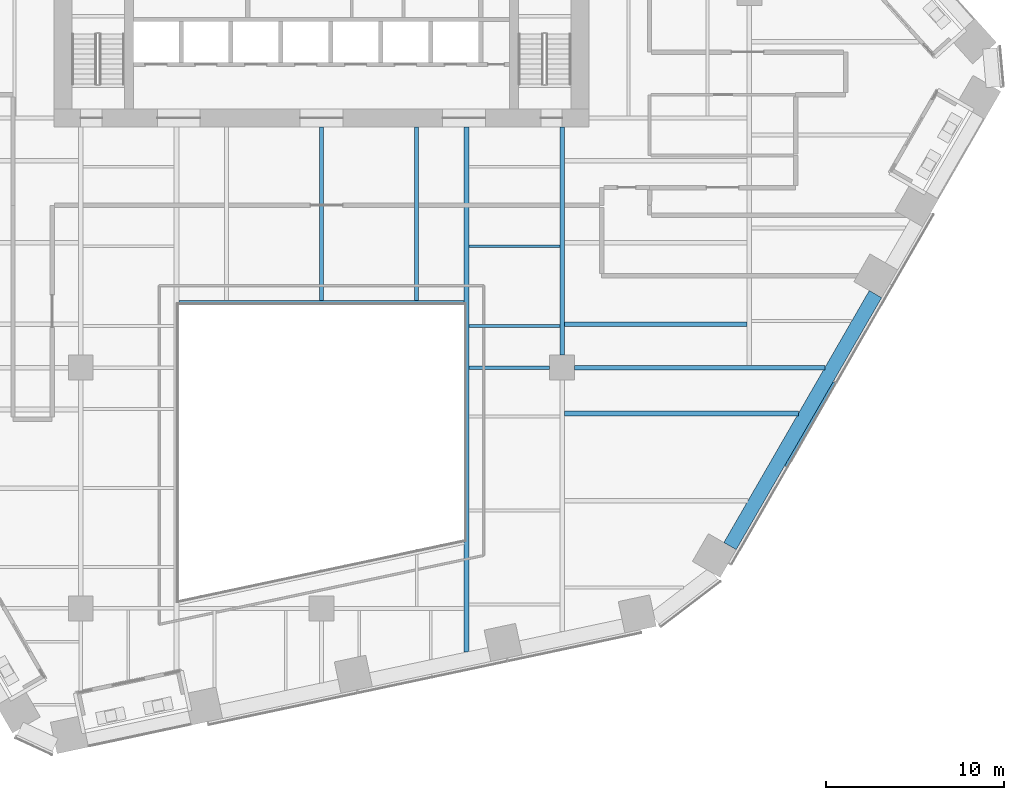
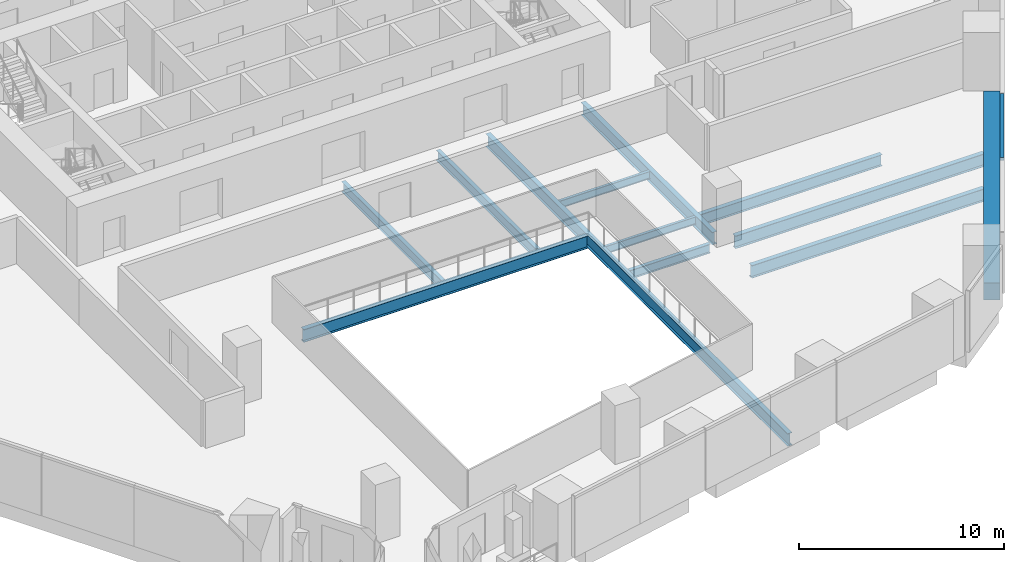
# One storey, part 6 of 28: 12 beams, 1 member, 1 element without a shape of its own.
"""IFC4 building model written with IfcOpenShell, lengths in metres."""

from ifc_helpers import new_model, si_unit, direction, frame, origin, origin_2d, place, context, subcontext, project, spatial, rectangle, i_section, extrude, material, layer, layer_set, material_profile, profile_set, type_object, element, aggregate, save


model = new_model("IFC4")

# Units and contexts
model_context = context("Model", 3, precision=1e-05, world=origin(), true_north=direction((0.0, 1.0)))
body_context = subcontext(model_context, "Body", "Model", "MODEL_VIEW")
ifc_project = project(units=[si_unit("LENGTHUNIT", "METRE"), si_unit("AREAUNIT", "SQUARE_METRE"), si_unit("VOLUMEUNIT", "CUBIC_METRE"), si_unit("PLANEANGLEUNIT", "RADIAN"), si_unit("MASSUNIT", "GRAM", prefix="KILO")], contexts=[model_context])

# Site, building, storey
site_placement = place(None, origin())
site = spatial("IfcSite", under=ifc_project, at=site_placement, CompositionType="ELEMENT")
building_placement = place(site_placement, origin())
building = spatial("IfcBuilding", under=site, at=building_placement, Name="Isthmus Gate Tower", CompositionType="ELEMENT")
storey_placement = place(building_placement, frame((0.0, 0.0, 68.85009765625)))
storey = spatial("IfcBuildingStorey", under=building, at=storey_placement, Name="L15", CompositionType="ELEMENT", Elevation=68.85009765625)

# Curtain wall, member
ifc_material_1 = material(Name="Aluminium, pale champagne anodised", Category="aluminium")
ifc_layer = layer(ifc_material_1, 0.199951171875)
ifc_layer_set = layer_set([ifc_layer], Name="CW-1 UNITISED CURTAIN WALL 200 DEEP")
curtain_wall_type = type_object("IfcCurtainWallType", Name="CW-1 UNITISED CURTAIN WALL 200 DEEP", PredefinedType="NOTDEFINED", material=ifc_layer_set)
curtain_wall_placement = place(storey_placement, origin())
curtain_wall = element("IfcCurtainWall", 1, at=curtain_wall_placement, inside=storey, type_object=curtain_wall_type, Name="CW-1 SE L15", PredefinedType="NOTDEFINED")
ifc_material_2 = material(Name="Aluminium, pale champagne anodised", Category="aluminium")
ifc_material_profile_1 = material_profile(ifc_material_2, rectangle(XDim=0.199951171875, YDim=0.14990234375, at=origin_2d()), Name="200x150")
ifc_profile_set_1 = profile_set([ifc_material_profile_1], Name="Aluminium, pale champagne anodised")
member_type = type_object("IfcMemberType", Name="CW-1 TRANSOM 200 X 150", PredefinedType="USERDEFINED", material=ifc_profile_set_1)
member_placement = place(storey_placement, frame((26.06787109375, -19.04931640625, 3.574951171875), z_axis=(0.499991872758, 0.866030095999, 0.0), x_axis=(-0.866030095999, 0.499991872758, 0.0)))
member = element("IfcMember", 2, at=member_placement, type_object=member_type, Name="CW-1 transom", ObjectType="TRANSOM", PredefinedType="USERDEFINED", context=body_context, shape_type="SweptSolid", body=[
    extrude(rectangle(XDim=0.199951171875, YDim=0.14990234375, at=origin_2d()), origin(), (0.0, 0.0, 1.0), 5.4384765625),
])
aggregate(curtain_wall, [member])

# Beams
ifc_material_3 = material(Name="Concrete f'c 70 MPa", Category="concrete")
ifc_material_profile_2 = material_profile(ifc_material_3, rectangle(XDim=0.800048828125, YDim=1.0, at=origin_2d()), Name="RC 800X1000")
ifc_profile_set_2 = profile_set([ifc_material_profile_2], Name="Concrete f'c 70 MPa")
beam_type_1 = type_object("IfcBeamType", Name="RC SPANDREL 800 X 1000", PredefinedType="SPANDREL", material=ifc_profile_set_2)
beam_1_placement = place(storey_placement, frame((31.0732421875, -9.37939453125, -0.5), z_axis=(-0.499991872758, -0.866030095999, 0.0), x_axis=(0.866030095999, -0.499991872758, 0.0)))
element("IfcBeam", 3, at=beam_1_placement, inside=storey, type_object=beam_type_1, Name="str-spandrel-L15-08", PredefinedType="SPANDREL", context=body_context, shape_type="SweptSolid", body=[
    extrude(rectangle(XDim=0.800048828125, YDim=1.0, at=origin_2d()), origin(), (0.0, 0.0, 1.0), 16.315673828125),
])
ifc_material_4 = material(Name="Structural steel ASTM A992 Gr 50", Category="steel")
ifc_material_profile_3 = material_profile(ifc_material_4, i_section(OverallWidth=0.15234375, OverallDepth=0.45068359375, WebThickness=0.0078125, FlangeThickness=0.010986328125, at=origin_2d()), Name="W18X35")
ifc_profile_set_3 = profile_set([ifc_material_profile_3], Name="Structural steel ASTM A992 Gr 50")
beam_type_2 = type_object("IfcBeamType", Name="STEEL FLOOR BEAM W18X35", PredefinedType="JOIST", material=ifc_profile_set_3)
for number, where, z_axis, x_axis, name in (
    (4, (8.263427734375, -11.16259765625, -0.37548828125), (1.0, 0.0, 0.0), (0.0, 1.0, 0.0), "str-beam-L15-27-00"),
    (5, (8.263427734375, -6.697509765625, -0.37548828125), (1.0, 0.0, 0.0), (0.0, 1.0, 0.0), "str-beam-L15-27-01"),
):
    element("IfcBeam", number, at=place(storey_placement, frame(where, z_axis=z_axis, x_axis=x_axis)), inside=storey, type_object=beam_type_2, Name=name, PredefinedType="JOIST", context=body_context, shape_type="SweptSolid", body=[
        extrude(i_section(OverallWidth=0.15234375, OverallDepth=0.45068359375, WebThickness=0.0078125, FlangeThickness=0.010986328125, at=origin_2d()), origin(), (0.0, 0.0, 1.0), 5.104736328125),
    ])
ifc_material_5 = material(Name="Structural steel ASTM A992 Gr 50", Category="steel")
ifc_material_profile_4 = material_profile(ifc_material_5, i_section(OverallWidth=0.228515625, OverallDepth=0.603271484375, WebThickness=0.010986328125, FlangeThickness=0.014404296875, at=origin_2d()), Name="W24X68")
ifc_profile_set_4 = profile_set([ifc_material_profile_4], Name="Structural steel ASTM A992 Gr 50")
beam_type_3 = type_object("IfcBeamType", Name="STEEL FLOOR BEAM W24X68", PredefinedType="JOIST", material=ifc_profile_set_4)
for number, where, z_axis, x_axis, name in (
    (6, (0.0, -9.7333984375, -0.45166015625), (0.0, 1.0, 0.0), (-1.0, 0.0, 0.0), "str-beam-L15-20-01"),
    (7, (5.333251953125, -9.7333984375, -0.45166015625), (0.0, 1.0, 0.0), (-1.0, 0.0, 0.0), "str-beam-L15-20-02"),
):
    element("IfcBeam", number, at=place(storey_placement, frame(where, z_axis=z_axis, x_axis=x_axis)), inside=storey, type_object=beam_type_3, Name=name, PredefinedType="JOIST", context=body_context, shape_type="SweptSolid", body=[
        extrude(i_section(OverallWidth=0.228515625, OverallDepth=0.603271484375, WebThickness=0.010986328125, FlangeThickness=0.014404296875, at=origin_2d()), origin(), (0.0, 0.0, 1.0), 9.7333984375),
    ])
ifc_material_6 = material(Name="Structural steel ASTM A992 Gr 50", Category="steel")
ifc_material_profile_5 = material_profile(ifc_material_6, i_section(OverallWidth=0.25390625, OverallDepth=0.679443359375, WebThickness=0.010986328125, FlangeThickness=0.015869140625, at=origin_2d()), Name="W27X84")
ifc_profile_set_5 = profile_set([ifc_material_profile_5], Name="Structural steel ASTM A992 Gr 50")
beam_type_4 = type_object("IfcBeamType", Name="STEEL FLOOR BEAM W27X84", PredefinedType="JOIST", material=ifc_profile_set_5)
beam_2_placement = place(storey_placement, frame((13.6318359375, -11.07470703125, -0.48974609375), z_axis=(1.0, 0.0, 0.0), x_axis=(0.0, 1.0, 0.0)))
element("IfcBeam", 8, at=beam_2_placement, inside=storey, type_object=beam_type_4, Name="str-beam-L15-31-00", PredefinedType="JOIST", context=body_context, shape_type="SweptSolid", body=[
    extrude(i_section(OverallWidth=0.25390625, OverallDepth=0.679443359375, WebThickness=0.010986328125, FlangeThickness=0.015869140625, at=origin_2d()), origin(), (0.0, 0.0, 1.0), 10.23486328125),
])
ifc_material_7 = material(Name="Structural steel ASTM A992 Gr 50", Category="steel")
ifc_material_profile_6 = material_profile(ifc_material_7, i_section(OverallWidth=0.263427734375, OverallDepth=0.749267578125, WebThickness=0.0126953125, FlangeThickness=0.015869140625, at=origin_2d()), Name="W30X90")
ifc_profile_set_6 = profile_set([ifc_material_profile_6], Name="Structural steel ASTM A992 Gr 50")
beam_type_5 = type_object("IfcBeamType", Name="STEEL FLOOR BEAM W30X90", PredefinedType="JOIST", material=ifc_profile_set_6)
beam_3_placement = place(storey_placement, frame((13.63330078125, -16.0751953125, -0.524658203125), z_axis=(1.0, 0.0, 0.0), x_axis=(0.0, 1.0, 0.0)))
element("IfcBeam", 9, at=beam_3_placement, inside=storey, type_object=beam_type_5, Name="str-beam-L15-32-02", PredefinedType="JOIST", context=body_context, shape_type="SweptSolid", body=[
    extrude(i_section(OverallWidth=0.263427734375, OverallDepth=0.749267578125, WebThickness=0.0126953125, FlangeThickness=0.015869140625, at=origin_2d()), origin(), (0.0, 0.0, 1.0), 13.1123046875),
])
ifc_material_8 = material(Name="Structural steel ASTM A992 Gr 50", Category="steel")
ifc_material_profile_7 = material_profile(ifc_material_8, i_section(OverallWidth=0.20947265625, OverallDepth=0.533447265625, WebThickness=0.009521484375, FlangeThickness=0.015869140625, at=origin_2d()), Name="W21X62")
ifc_profile_set_7 = profile_set([ifc_material_profile_7], Name="Structural steel ASTM A992 Gr 50")
beam_type_6 = type_object("IfcBeamType", Name="STEEL GIRDER W21X62", PredefinedType="BEAM", material=ifc_profile_set_7)
beam_4_placement = place(storey_placement, frame((8.263427734375, -13.5, -0.416748046875), z_axis=(1.0, 0.0, 0.0), x_axis=(0.0, 1.0, 0.0)))
element("IfcBeam", 10, at=beam_4_placement, inside=storey, type_object=beam_type_6, Name="str-girder-L15-07", PredefinedType="BEAM", context=body_context, shape_type="SweptSolid", body=[
    extrude(i_section(OverallWidth=0.20947265625, OverallDepth=0.533447265625, WebThickness=0.009521484375, FlangeThickness=0.015869140625, at=origin_2d()), origin(), (0.0, 0.0, 1.0), 4.53662109375),
])
ifc_material_9 = material(Name="Structural steel ASTM A992 Gr 50", Category="steel")
ifc_material_profile_8 = material_profile(ifc_material_9, i_section(OverallWidth=0.2666015625, OverallDepth=0.7587890625, WebThickness=0.014404296875, FlangeThickness=0.01904296875, at=origin_2d()), Name="W30X108")
ifc_profile_set_8 = profile_set([ifc_material_profile_8], Name="Structural steel ASTM A992 Gr 50")
beam_type_7 = type_object("IfcBeamType", Name="STEEL GIRDER W30X108", PredefinedType="BEAM", material=ifc_profile_set_8)
beam_5_placement = place(storey_placement, frame((14.199951171875, -13.5, -0.529541015625), z_axis=(1.0, 0.0, 0.0), x_axis=(0.0, 1.0, 0.0)))
element("IfcBeam", 11, at=beam_5_placement, inside=storey, type_object=beam_type_7, Name="str-girder-L15-08", PredefinedType="BEAM", context=body_context, shape_type="SweptSolid", body=[
    extrude(i_section(OverallWidth=0.2666015625, OverallDepth=0.7587890625, WebThickness=0.014404296875, FlangeThickness=0.01904296875, at=origin_2d()), origin(), (0.0, 0.0, 1.0), 14.032470703125),
])
ifc_material_10 = material(Name="Structural steel ASTM A992 Gr 50", Category="steel")
ifc_material_profile_9 = material_profile(ifc_material_10, i_section(OverallWidth=0.263427734375, OverallDepth=0.749267578125, WebThickness=0.0126953125, FlangeThickness=0.015869140625, at=origin_2d()), Name="W30X90")
ifc_profile_set_9 = profile_set([ifc_material_profile_9], Name="Structural steel ASTM A992 Gr 50")
beam_type_8 = type_object("IfcBeamType", Name="STEEL GIRDER W30X90", PredefinedType="BEAM", material=ifc_profile_set_9)
beam_6_placement = place(storey_placement, frame((13.5, -12.800048828125, -0.524658203125), z_axis=(0.0, 1.0, 0.0), x_axis=(-1.0, 0.0, 0.0)))
element("IfcBeam", 12, at=beam_6_placement, inside=storey, type_object=beam_type_8, Name="str-girder-L15-32", PredefinedType="BEAM", context=body_context, shape_type="SweptSolid", body=[
    extrude(i_section(OverallWidth=0.263427734375, OverallDepth=0.749267578125, WebThickness=0.0126953125, FlangeThickness=0.015869140625, at=origin_2d()), origin(), (0.0, 0.0, 1.0), 12.800048828125),
])
ifc_material_11 = material(Name="Structural steel ASTM A992 Gr 50", Category="steel")
ifc_material_profile_10 = material_profile(ifc_material_11, i_section(OverallWidth=0.2666015625, OverallDepth=0.7587890625, WebThickness=0.014404296875, FlangeThickness=0.01904296875, at=origin_2d()), Name="W30X108")
ifc_profile_set_10 = profile_set([ifc_material_profile_10], Name="Structural steel ASTM A992 Gr 50")
beam_type_9 = type_object("IfcBeamType", Name="STEEL TRIMMER W30X108", PredefinedType="BEAM", material=ifc_profile_set_10)
beam_7_placement = place(storey_placement, frame((8.0, -9.86669921875, -0.529541015625), z_axis=(-1.0, 0.0, 0.0), x_axis=(0.0, -1.0, 0.0)))
element("IfcBeam", 13, at=beam_7_placement, inside=storey, type_object=beam_type_9, Name="str-trimmer-L15-04", PredefinedType="BEAM", context=body_context, shape_type="SweptSolid", body=[
    extrude(i_section(OverallWidth=0.2666015625, OverallDepth=0.7587890625, WebThickness=0.014404296875, FlangeThickness=0.01904296875, at=origin_2d()), origin(), (0.0, 0.0, 1.0), 16.0),
])
ifc_material_12 = material(Name="Structural steel ASTM A992 Gr 50", Category="steel")
ifc_material_profile_11 = material_profile(ifc_material_12, i_section(OverallWidth=0.263427734375, OverallDepth=0.749267578125, WebThickness=0.0126953125, FlangeThickness=0.015869140625, at=origin_2d()), Name="W30X90")
ifc_profile_set_11 = profile_set([ifc_material_profile_11], Name="Structural steel ASTM A992 Gr 50")
beam_type_10 = type_object("IfcBeamType", Name="STEEL TRIMMER W30X90", PredefinedType="BEAM", material=ifc_profile_set_11)
beam_8_placement = place(storey_placement, frame((8.1318359375, -29.45361328125, -0.524658203125), z_axis=(0.0, 1.0, 0.0), x_axis=(-1.0, 0.0, 0.0)))
element("IfcBeam", 14, at=beam_8_placement, inside=storey, type_object=beam_type_10, Name="str-trimmer-L15-01", PredefinedType="BEAM", context=body_context, shape_type="SweptSolid", body=[
    extrude(i_section(OverallWidth=0.263427734375, OverallDepth=0.749267578125, WebThickness=0.0126953125, FlangeThickness=0.015869140625, at=origin_2d()), origin(), (0.0, 0.0, 1.0), 29.45361328125),
])

save(model, "model.ifc")
